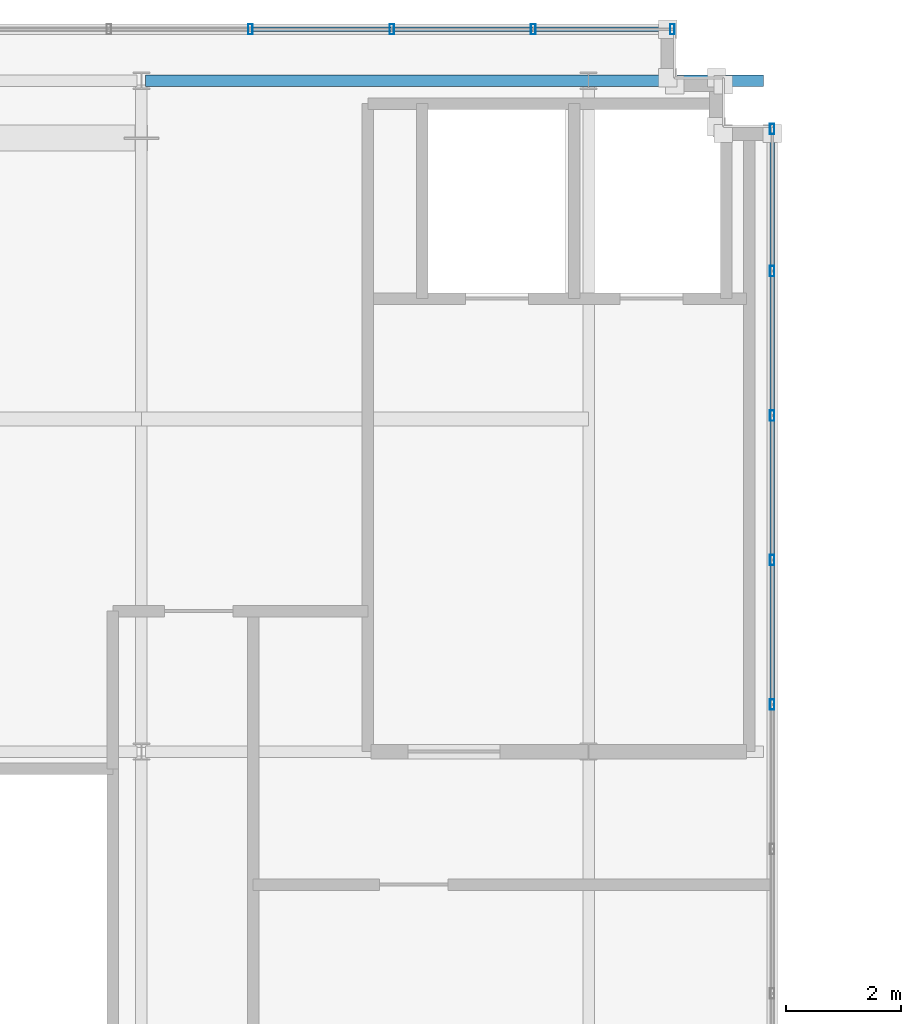
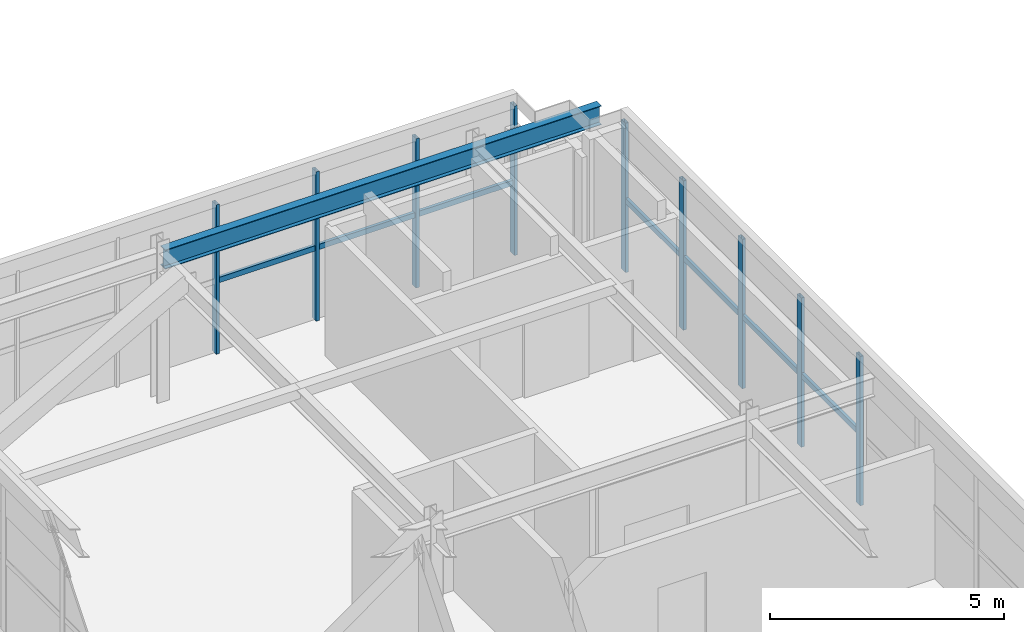
# One storey, part 11 of 25: 16 members, 1 beam, 2 elements without a shape of their own.
"""IFC4 building model written with IfcOpenShell, lengths in metres."""

from ifc_helpers import new_model, si_unit, direction, frame, origin, origin_2d, place, context, subcontext, project, spatial, hollow_rectangle, i_section, extrude, source, transform, mapped, material, material_profile, profile_set, type_object, element, aggregate, save


model = new_model("IFC4")

# Units and contexts
model_context = context("Model", 3, precision=1e-05, world=origin(), true_north=direction((0.0, 1.0)))
body_context = subcontext(model_context, "Body", "Model", "MODEL_VIEW")
ifc_project = project(units=[si_unit("LENGTHUNIT", "METRE"), si_unit("AREAUNIT", "SQUARE_METRE"), si_unit("VOLUMEUNIT", "CUBIC_METRE"), si_unit("PLANEANGLEUNIT", "RADIAN"), si_unit("MASSUNIT", "GRAM", prefix="KILO")], contexts=[model_context])

# Site, building, storey
site_placement = place(None, origin())
site = spatial("IfcSite", under=ifc_project, at=site_placement, CompositionType="ELEMENT")
building_placement = place(site_placement, origin())
building = spatial("IfcBuilding", under=site, at=building_placement, Name="Trelvane Seafront Commons", CompositionType="ELEMENT")
storey_placement = place(building_placement, frame((0.0, 0.0, 320.89990234375)))
storey = spatial("IfcBuildingStorey", under=building, at=storey_placement, Name="L83", CompositionType="ELEMENT", Elevation=320.89990234375)

# Beam
ifc_material_1 = material(Name="Steel SM355 (S355)", Category="steel")
ifc_material_profile_1 = material_profile(ifc_material_1, i_section(OverallWidth=0.199951171875, OverallDepth=0.5, WebThickness=0.010009765625, FlangeThickness=0.01611328125, at=origin_2d()), Name="H-500x200x10x16")
ifc_profile_set_1 = profile_set([ifc_material_profile_1], Name="Steel SM355 (S355)")
beam_type = type_object("IfcBeamType", Name="STR-CROWN-FRAME-RING", PredefinedType="SPANDREL", material=ifc_profile_set_1)
shared_shape_1 = source(origin(), body_context, "Body", "SweptSolid", [
    extrude(i_section(OverallWidth=0.199951171875, OverallDepth=0.5, WebThickness=0.010009765625, FlangeThickness=0.01611328125, at=origin_2d()), origin(), (0.0, 0.0, 1.0), 10.77490234375),
])
beam_placement = place(storey_placement, frame((15.675048828125, 45.10009765625, 3.650146484375), z_axis=(1.0, 0.0, 0.0), x_axis=(0.0, 1.0, 0.0)))
element("IfcBeam", 1, at=beam_placement, inside=storey, type_object=beam_type, Name="L83 CROWN FRAME Ring Beam G-10", PredefinedType="SPANDREL", context=body_context, shape_type="MappedRepresentation", body=[
    mapped(shared_shape_1, transform((0.0, 0.0, 0.0), x_axis=(1.0, 0.0, 0.0), y_axis=(0.0, 1.0, 0.0), z_axis=(0.0, 0.0, 1.0), scale=1.0)),
])

# Curtain wall, members
ifc_material_2 = material(Name="Anodised pale-silver aluminium", Category="aluminium")
curtain_wall_type = type_object("IfcCurtainWallType", Name="ARCH-CW6-CROWN", PredefinedType="NOTDEFINED", material=ifc_material_2)
curtain_wall_1_placement = place(storey_placement, origin())
curtain_wall_1 = element("IfcCurtainWall", 2, at=curtain_wall_1_placement, inside=storey, type_object=curtain_wall_type, Name="CW-L83-0161", PredefinedType="NOTDEFINED")
ifc_material_profile_2 = material_profile(ifc_material_2, hollow_rectangle(XDim=0.080078125, YDim=0.179931640625, WallThickness=0.00439453125, at=origin_2d()), Name="MULL-80x180x4.5")
ifc_profile_set_2 = profile_set([ifc_material_profile_2], Name="Anodised pale-silver aluminium")
member_type_1 = type_object("IfcMemberType", Name="ARCH-CW-MULL-180", PredefinedType="MULLION", material=ifc_profile_set_2)
shared_shape_2 = source(origin(), body_context, "Body", "SweptSolid", [
    extrude(hollow_rectangle(XDim=0.080078125, YDim=0.179931640625, WallThickness=0.00439453125, at=origin_2d()), origin(), (0.0, 0.0, 1.0), 3.900146484375),
])
member_1_placement = place(storey_placement, frame((17.5, 46.0, 0.0), z_axis=(0.0, 0.0, 1.0), x_axis=(1.0, 0.0, 0.0)))
member_1 = element("IfcMember", 3, at=member_1_placement, type_object=member_type_1, Name="CW-L83-0161-M03", PredefinedType="MULLION", context=body_context, shape_type="MappedRepresentation", body=[
    mapped(shared_shape_2, transform((0.0, 0.0, 0.0), x_axis=(1.0, 0.0, 0.0), y_axis=(0.0, 1.0, 0.0), z_axis=(0.0, 0.0, 1.0), scale=1.0)),
])
member_2_placement = place(storey_placement, frame((19.966796875, 46.0, 0.0), z_axis=(0.0, 0.0, 1.0), x_axis=(1.0, 0.0, 0.0)))
member_2 = element("IfcMember", 4, at=member_2_placement, type_object=member_type_1, Name="CW-L83-0161-M04", PredefinedType="MULLION", context=body_context, shape_type="MappedRepresentation", body=[
    mapped(shared_shape_2, transform((0.0, 0.0, 0.0), x_axis=(1.0, 0.0, 0.0), y_axis=(0.0, 1.0, 0.0), z_axis=(0.0, 0.0, 1.0), scale=1.0)),
])
member_3_placement = place(storey_placement, frame((22.433349609375, 46.0, 0.0), z_axis=(0.0, 0.0, 1.0), x_axis=(1.0, 0.0, 0.0)))
member_3 = element("IfcMember", 5, at=member_3_placement, type_object=member_type_1, Name="CW-L83-0161-M05", PredefinedType="MULLION", context=body_context, shape_type="MappedRepresentation", body=[
    mapped(shared_shape_2, transform((0.0, 0.0, 0.0), x_axis=(1.0, 0.0, 0.0), y_axis=(0.0, 1.0, 0.0), z_axis=(0.0, 0.0, 1.0), scale=1.0)),
])
member_4_placement = place(storey_placement, frame((24.860107421875, 46.0, 0.0), z_axis=(0.0, 0.0, 1.0), x_axis=(1.0, 0.0, 0.0)))
member_4 = element("IfcMember", 6, at=member_4_placement, type_object=member_type_1, Name="CW-L83-0161-M06", PredefinedType="MULLION", context=body_context, shape_type="MappedRepresentation", body=[
    mapped(shared_shape_2, transform((0.0, 0.0, 0.0), x_axis=(1.0, 0.0, 0.0), y_axis=(0.0, 1.0, 0.0), z_axis=(0.0, 0.0, 1.0), scale=1.0)),
])

curtain_wall_2_placement = place(storey_placement, origin())
curtain_wall_2 = element("IfcCurtainWall", 7, at=curtain_wall_2_placement, inside=storey, type_object=curtain_wall_type, Name="CW-L83-0162", PredefinedType="NOTDEFINED")
member_5_placement = place(storey_placement, frame((26.60009765625, 44.260009765625, 0.0), z_axis=(0.0, 0.0, 1.0), x_axis=(1.0, 0.0, 0.0)))
member_5 = element("IfcMember", 8, at=member_5_placement, type_object=member_type_1, Name="CW-L83-0162-M00", PredefinedType="MULLION", context=body_context, shape_type="MappedRepresentation", body=[
    mapped(shared_shape_2, transform((0.0, 0.0, 0.0), x_axis=(1.0, 0.0, 0.0), y_axis=(0.0, 1.0, 0.0), z_axis=(0.0, 0.0, 1.0), scale=1.0)),
])
member_6_placement = place(storey_placement, frame((26.60009765625, 41.780029296875, 0.0), z_axis=(0.0, 0.0, 1.0), x_axis=(1.0, 0.0, 0.0)))
member_6 = element("IfcMember", 9, at=member_6_placement, type_object=member_type_1, Name="CW-L83-0162-M01", PredefinedType="MULLION", context=body_context, shape_type="MappedRepresentation", body=[
    mapped(shared_shape_2, transform((0.0, 0.0, 0.0), x_axis=(1.0, 0.0, 0.0), y_axis=(0.0, 1.0, 0.0), z_axis=(0.0, 0.0, 1.0), scale=1.0)),
])
member_7_placement = place(storey_placement, frame((26.60009765625, 39.260009765625, 0.0), z_axis=(0.0, 0.0, 1.0), x_axis=(1.0, 0.0, 0.0)))
member_7 = element("IfcMember", 10, at=member_7_placement, type_object=member_type_1, Name="CW-L83-0162-M02", PredefinedType="MULLION", context=body_context, shape_type="MappedRepresentation", body=[
    mapped(shared_shape_2, transform((0.0, 0.0, 0.0), x_axis=(1.0, 0.0, 0.0), y_axis=(0.0, 1.0, 0.0), z_axis=(0.0, 0.0, 1.0), scale=1.0)),
])
member_8_placement = place(storey_placement, frame((26.60009765625, 36.739990234375, 0.0), z_axis=(0.0, 0.0, 1.0), x_axis=(1.0, 0.0, 0.0)))
member_8 = element("IfcMember", 11, at=member_8_placement, type_object=member_type_1, Name="CW-L83-0162-M03", PredefinedType="MULLION", context=body_context, shape_type="MappedRepresentation", body=[
    mapped(shared_shape_2, transform((0.0, 0.0, 0.0), x_axis=(1.0, 0.0, 0.0), y_axis=(0.0, 1.0, 0.0), z_axis=(0.0, 0.0, 1.0), scale=1.0)),
])
member_9_placement = place(storey_placement, frame((26.60009765625, 34.219970703125, 0.0), z_axis=(0.0, 0.0, 1.0), x_axis=(1.0, 0.0, 0.0)))
member_9 = element("IfcMember", 12, at=member_9_placement, type_object=member_type_1, Name="CW-L83-0162-M04", PredefinedType="MULLION", context=body_context, shape_type="MappedRepresentation", body=[
    mapped(shared_shape_2, transform((0.0, 0.0, 0.0), x_axis=(1.0, 0.0, 0.0), y_axis=(0.0, 1.0, 0.0), z_axis=(0.0, 0.0, 1.0), scale=1.0)),
])
ifc_material_profile_3 = material_profile(ifc_material_2, hollow_rectangle(XDim=0.074951171875, YDim=0.139892578125, WallThickness=0.00390625, at=origin_2d()), Name="TRAN-75x140x4")
ifc_profile_set_3 = profile_set([ifc_material_profile_3], Name="Anodised pale-silver aluminium")
member_type_2 = type_object("IfcMemberType", Name="ARCH-CW-TRAN-140", PredefinedType="USERDEFINED", material=ifc_profile_set_3)
shared_shape_3 = source(origin(), body_context, "Body", "SweptSolid", [
    extrude(hollow_rectangle(XDim=0.074951171875, YDim=0.139892578125, WallThickness=0.00390625, at=origin_2d()), origin(), (0.0, 0.0, 1.0), 2.49609375),
])
member_10_placement = place(storey_placement, frame((26.60009765625, 44.2880859375, 1.8720703125), z_axis=(0.0, -1.0, 0.0), x_axis=(1.0, 0.0, 0.0)))
member_10 = element("IfcMember", 13, at=member_10_placement, type_object=member_type_2, Name="CW-L83-0162-T00", ObjectType="TRANSOM", PredefinedType="USERDEFINED", context=body_context, shape_type="MappedRepresentation", body=[
    mapped(shared_shape_3, transform((0.0, 0.0, 0.0), x_axis=(1.0, 0.0, 0.0), y_axis=(0.0, 1.0, 0.0), z_axis=(0.0, 0.0, 1.0), scale=1.0)),
])
member_11_placement = place(storey_placement, frame((26.60009765625, 41.76806640625, 1.8720703125), z_axis=(0.0, -1.0, 0.0), x_axis=(1.0, 0.0, 0.0)))
member_11 = element("IfcMember", 14, at=member_11_placement, type_object=member_type_2, Name="CW-L83-0162-T01", ObjectType="TRANSOM", PredefinedType="USERDEFINED", context=body_context, shape_type="MappedRepresentation", body=[
    mapped(shared_shape_3, transform((0.0, 0.0, 0.0), x_axis=(1.0, 0.0, 0.0), y_axis=(0.0, 1.0, 0.0), z_axis=(0.0, 0.0, 1.0), scale=1.0)),
])
member_12_placement = place(storey_placement, frame((26.60009765625, 39.248046875, 1.8720703125), z_axis=(0.0, -1.0, 0.0), x_axis=(1.0, 0.0, 0.0)))
member_12 = element("IfcMember", 15, at=member_12_placement, type_object=member_type_2, Name="CW-L83-0162-T02", ObjectType="TRANSOM", PredefinedType="USERDEFINED", context=body_context, shape_type="MappedRepresentation", body=[
    mapped(shared_shape_3, transform((0.0, 0.0, 0.0), x_axis=(1.0, 0.0, 0.0), y_axis=(0.0, 1.0, 0.0), z_axis=(0.0, 0.0, 1.0), scale=1.0)),
])
member_13_placement = place(storey_placement, frame((26.60009765625, 36.72802734375, 1.8720703125), z_axis=(0.0, -1.0, 0.0), x_axis=(1.0, 0.0, 0.0)))
member_13 = element("IfcMember", 16, at=member_13_placement, type_object=member_type_2, Name="CW-L83-0162-T03", ObjectType="TRANSOM", PredefinedType="USERDEFINED", context=body_context, shape_type="MappedRepresentation", body=[
    mapped(shared_shape_3, transform((0.0, 0.0, 0.0), x_axis=(1.0, 0.0, 0.0), y_axis=(0.0, 1.0, 0.0), z_axis=(0.0, 0.0, 1.0), scale=1.0)),
])
aggregate(curtain_wall_2, [member_5, member_6, member_7, member_8, member_9, member_10, member_11, member_12, member_13])

# Member
shared_shape_4 = source(origin(), body_context, "Body", "SweptSolid", [
    extrude(hollow_rectangle(XDim=0.074951171875, YDim=0.139892578125, WallThickness=0.00390625, at=origin_2d()), origin(), (0.0, 0.0, 1.0), 2.442626953125),
])
member_14_placement = place(storey_placement, frame((17.511962890625, 46.0, 1.8720703125), z_axis=(1.0, 0.0, 0.0), x_axis=(0.0, 1.0, 0.0)))
member_14 = element("IfcMember", 17, at=member_14_placement, type_object=member_type_2, Name="CW-L83-0161-T03", ObjectType="TRANSOM", PredefinedType="USERDEFINED", context=body_context, shape_type="MappedRepresentation", body=[
    mapped(shared_shape_4, transform((0.0, 0.0, 0.0), x_axis=(1.0, 0.0, 0.0), y_axis=(0.0, 1.0, 0.0), z_axis=(0.0, 0.0, 1.0), scale=1.0)),
])

member_15_placement = place(storey_placement, frame((19.978759765625, 46.0, 1.8720703125), z_axis=(1.0, 0.0, 0.0), x_axis=(0.0, 1.0, 0.0)))
member_15 = element("IfcMember", 18, at=member_15_placement, type_object=member_type_2, Name="CW-L83-0161-T04", ObjectType="TRANSOM", PredefinedType="USERDEFINED", context=body_context, shape_type="MappedRepresentation", body=[
    mapped(shared_shape_4, transform((0.0, 0.0, 0.0), x_axis=(1.0, 0.0, 0.0), y_axis=(0.0, 1.0, 0.0), z_axis=(0.0, 0.0, 1.0), scale=1.0)),
])

member_16_placement = place(storey_placement, frame((22.4453125, 46.0, 1.8720703125), z_axis=(1.0, 0.0, 0.0), x_axis=(0.0, 1.0, 0.0)))
member_16 = element("IfcMember", 19, at=member_16_placement, type_object=member_type_2, Name="CW-L83-0161-T05", ObjectType="TRANSOM", PredefinedType="USERDEFINED", context=body_context, shape_type="MappedRepresentation", body=[
    mapped(shared_shape_4, transform((0.0, 0.0, 0.0), x_axis=(1.0, 0.0, 0.0), y_axis=(0.0, 1.0, 0.0), z_axis=(0.0, 0.0, 1.0), scale=1.0)),
])

aggregate(curtain_wall_1, [member_1, member_2, member_3, member_4, member_14, member_15, member_16])

save(model, "model.ifc")
